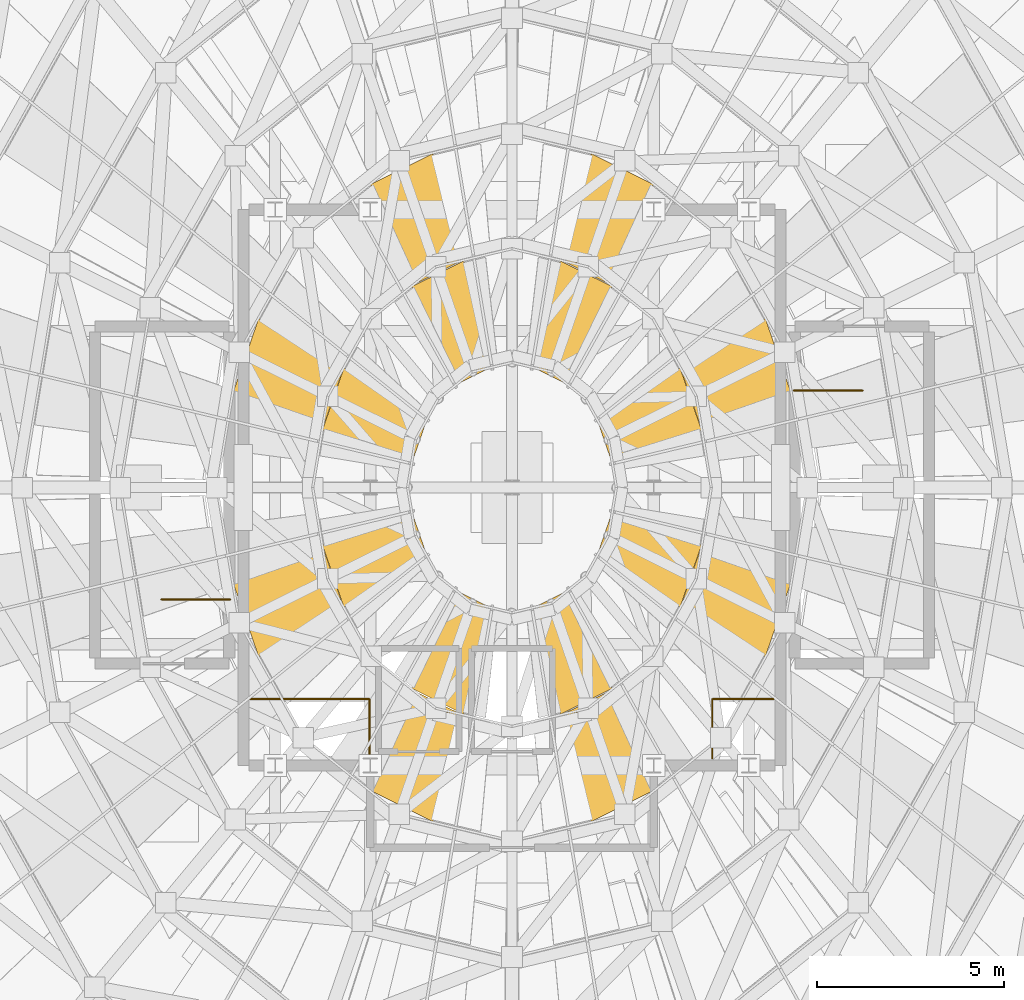
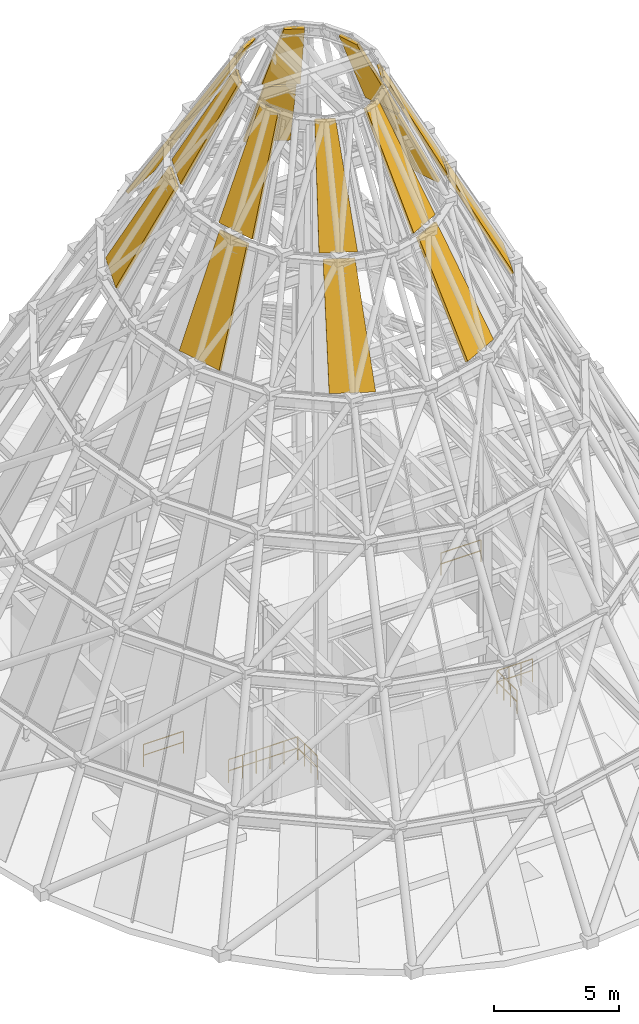
# One storey, part 15 of 16: 16 coverings, 4 railings.
"""IFC4 building model written with IfcOpenShell, lengths in metres."""

from ifc_helpers import new_model, si_unit, direction, frame, origin, origin_2d, place, context, subcontext, project, spatial, polyline, circle, outline, extrude, material, layer, layer_set, type_object, element, save


model = new_model("IFC4")

# Units and contexts
model_context = context("Model", 3, precision=1e-05, world=origin(), true_north=direction((0.0, 1.0)))
body_context = subcontext(model_context, "Body", "Model", "MODEL_VIEW")
ifc_project = project(units=[si_unit("LENGTHUNIT", "METRE"), si_unit("AREAUNIT", "SQUARE_METRE"), si_unit("VOLUMEUNIT", "CUBIC_METRE"), si_unit("PLANEANGLEUNIT", "RADIAN"), si_unit("MASSUNIT", "GRAM", prefix="KILO")], contexts=[model_context])

# Site, building, storey
site_placement = place(None, origin())
site = spatial("IfcSite", under=ifc_project, at=site_placement, CompositionType="ELEMENT")
building_placement = place(site_placement, origin())
building = spatial("IfcBuilding", under=site, at=building_placement, Name="Veldorina Hangang Commons", CompositionType="ELEMENT")
storey_placement = place(building_placement, frame((0.0, 0.0, 308.39990234375)))
storey = spatial("IfcBuildingStorey", under=building, at=storey_placement, Name="Crown", CompositionType="ELEMENT", Elevation=308.39990234375)

# Coverings
ifc_material_1 = material(Name="Bronze Perforated Anodized", Category="metal")
ifc_layer = layer(ifc_material_1, 0.139892578125)
ifc_layer_set = layer_set([ifc_layer], Name="Bronze Perforated Anodized")
covering_type = type_object("IfcCoveringType", Name="RF-CANOPY-BRZ", PredefinedType="USERDEFINED", material=ifc_layer_set)
covering_1_placement = place(storey_placement, frame((39.480712890625, 26.536865234375, 19.319580078125), z_axis=(0.833584199063, 0.288090662029, 0.471318526608), x_axis=(-0.326653086245, 0.945144307027, 1.1886112e-05)))
element("IfcCovering", 1, at=covering_1_placement, inside=storey, type_object=covering_type, Name="Crown tier 5 bronze hip seam cap 01", ObjectType="CANOPY", PredefinedType="USERDEFINED", context=body_context, shape_type="SweptSolid", body=[
    extrude(outline(polyline([(0.0, 0.0), (2.113525390625, 0.0), (1.46533203125, 5.224853515625), (0.014404296875, 5.224853515625), (0.0, 0.0)])), origin(), (0.0, 0.0, -1.0), 0.139892578125),
])
covering_2_placement = place(storey_placement, frame((35.790771484375, 32.12548828125, 19.322021484375), z_axis=(0.380101271505, 0.765721858184, 0.518838182192), x_axis=(-0.895720235024, 0.444618105965, 2.0426337e-05)))
element("IfcCovering", 2, at=covering_2_placement, inside=storey, type_object=covering_type, Name="Crown tier 5 bronze hip seam cap 03", ObjectType="CANOPY", PredefinedType="USERDEFINED", context=body_context, shape_type="SweptSolid", body=[
    extrude(outline(polyline([(0.0, 0.0), (1.861083984375, 0.0), (1.20947265625, 5.39013671875), (-0.068115234375, 5.39013671875), (0.0, 0.0)])), origin(), (0.0, 0.0, -1.0), 0.139892578125),
])
covering_3_placement = place(storey_placement, frame((29.876220703125, 32.952880859375, 19.322021484375), z_axis=(-0.380101271505, 0.765721858184, 0.518838182192), x_axis=(-0.895720235024, -0.444618105965, -2.0426337e-05)))
element("IfcCovering", 3, at=covering_3_placement, inside=storey, type_object=covering_type, Name="Crown tier 5 bronze hip seam cap 05", ObjectType="CANOPY", PredefinedType="USERDEFINED", context=body_context, shape_type="SweptSolid", body=[
    extrude(outline(polyline([(0.0, 0.0), (1.861083984375, 0.0), (1.92919921875, 5.39013671875), (0.651611328125, 5.39013671875), (0.0, 0.0)])), origin(), (0.0, 0.0, -1.0), 0.139892578125),
])
covering_4_placement = place(storey_placement, frame((25.209716796875, 28.534423828125, 19.319580078125), z_axis=(-0.833584199063, 0.288090662029, 0.471318526608), x_axis=(-0.326653086245, -0.945144307027, -1.1886112e-05)))
element("IfcCovering", 4, at=covering_4_placement, inside=storey, type_object=covering_type, Name="Crown tier 5 bronze hip seam cap 07", ObjectType="CANOPY", PredefinedType="USERDEFINED", context=body_context, shape_type="SweptSolid", body=[
    extrude(outline(polyline([(0.0, 0.0), (2.113525390625, 0.0), (2.09912109375, 5.224853515625), (0.648193359375, 5.224853515625), (0.0, 0.0)])), origin(), (0.0, 0.0, -1.0), 0.139892578125),
])
covering_5_placement = place(storey_placement, frame((24.519287109375, 21.463134765625, 19.319580078125), z_axis=(-0.833584199063, -0.288090662029, 0.471318526608), x_axis=(0.326653086245, -0.945144307027, 1.1886112e-05)))
element("IfcCovering", 5, at=covering_5_placement, inside=storey, type_object=covering_type, Name="Crown tier 5 bronze hip seam cap 09", ObjectType="CANOPY", PredefinedType="USERDEFINED", context=body_context, shape_type="SweptSolid", body=[
    extrude(outline(polyline([(0.0, 0.0), (2.113525390625, 0.0), (1.46533203125, 5.224853515625), (0.014404296875, 5.224853515625), (0.0, 0.0)])), origin(), (0.0, 0.0, -1.0), 0.139892578125),
])
covering_6_placement = place(storey_placement, frame((28.209228515625, 15.87451171875, 19.322021484375), z_axis=(-0.380101271505, -0.765721858184, 0.518838182192), x_axis=(0.895720235024, -0.444618105965, 2.0426337e-05)))
element("IfcCovering", 6, at=covering_6_placement, inside=storey, type_object=covering_type, Name="Crown tier 5 bronze hip seam cap 11", ObjectType="CANOPY", PredefinedType="USERDEFINED", context=body_context, shape_type="SweptSolid", body=[
    extrude(outline(polyline([(0.0, 0.0), (1.861083984375, 0.0), (1.20947265625, 5.39013671875), (-0.068115234375, 5.39013671875), (0.0, 0.0)])), origin(), (0.0, 0.0, -1.0), 0.139892578125),
])
covering_7_placement = place(storey_placement, frame((34.123779296875, 15.047119140625, 19.322021484375), z_axis=(0.380101271505, -0.765721858184, 0.518838182192), x_axis=(0.895720235024, 0.444618105965, -2.0426337e-05)))
element("IfcCovering", 7, at=covering_7_placement, inside=storey, type_object=covering_type, Name="Crown tier 5 bronze hip seam cap 13", ObjectType="CANOPY", PredefinedType="USERDEFINED", context=body_context, shape_type="SweptSolid", body=[
    extrude(outline(polyline([(0.0, 0.0), (1.861083984375, 0.0), (1.92919921875, 5.39013671875), (0.651611328125, 5.39013671875), (0.0, 0.0)])), origin(), (0.0, 0.0, -1.0), 0.139892578125),
])
covering_8_placement = place(storey_placement, frame((38.790283203125, 19.465576171875, 19.319580078125), z_axis=(0.833584199063, -0.288090662029, 0.471318526608), x_axis=(0.326653086245, 0.945144307027, -1.1886112e-05)))
element("IfcCovering", 8, at=covering_8_placement, inside=storey, type_object=covering_type, Name="Crown tier 5 bronze hip seam cap 15", ObjectType="CANOPY", PredefinedType="USERDEFINED", context=body_context, shape_type="SweptSolid", body=[
    extrude(outline(polyline([(0.0, 0.0), (2.113525390625, 0.0), (2.09912109375, 5.224853515625), (0.648193359375, 5.224853515625), (0.0, 0.0)])), origin(), (0.0, 0.0, -1.0), 0.139892578125),
])
covering_9_placement = place(storey_placement, frame((37.080078125, 25.54345703125, 24.119384765625), z_axis=(0.836029224433, 0.289019477434, 0.466393479327), x_axis=(-0.326720601267, 0.945120970147, -2.2294525e-05)))
element("IfcCovering", 9, at=covering_9_placement, inside=storey, type_object=covering_type, Name="Crown tier 6 bronze hip seam cap 01", ObjectType="CANOPY", PredefinedType="USERDEFINED", context=body_context, shape_type="SweptSolid", body=[
    extrude(outline(polyline([(0.0, 0.0), (1.755615234375, 0.0), (1.03759765625, 5.209228515625), (0.0927734375, 5.209228515625), (0.0, 0.0)])), origin(), (0.0, 0.0, -1.0), 0.139892578125),
])
covering_10_placement = place(storey_placement, frame((34.679443359375, 29.388916015625, 24.121826171875), z_axis=(0.381461689654, 0.768473514746, 0.513746470995), x_axis=(-0.895717625209, 0.444623364083, 1.3225e-06)))
element("IfcCovering", 10, at=covering_10_placement, inside=storey, type_object=covering_type, Name="Crown tier 6 bronze hip seam cap 03", ObjectType="CANOPY", PredefinedType="USERDEFINED", context=body_context, shape_type="SweptSolid", body=[
    extrude(outline(polyline([(0.0, 0.0), (1.545654296875, 0.0), (0.833740234375, 5.370849609375), (0.001953125, 5.370849609375), (0.0, 0.0)])), origin(), (0.0, 0.0, -1.0), 0.139892578125),
])
covering_11_placement = place(storey_placement, frame((30.705078125, 30.076171875, 24.121826171875), z_axis=(-0.381461689654, 0.768473514746, 0.513746470995), x_axis=(-0.895717625209, -0.444623364083, -1.3225e-06)))
element("IfcCovering", 11, at=covering_11_placement, inside=storey, type_object=covering_type, Name="Crown tier 6 bronze hip seam cap 05", ObjectType="CANOPY", PredefinedType="USERDEFINED", context=body_context, shape_type="SweptSolid", body=[
    extrude(outline(polyline([(0.0, 0.0), (1.545654296875, 0.0), (1.5439453125, 5.370849609375), (0.7119140625, 5.370849609375), (0.0, 0.0)])), origin(), (0.0, 0.0, -1.0), 0.139892578125),
])
covering_12_placement = place(storey_placement, frame((27.493408203125, 27.20263671875, 24.119384765625), z_axis=(-0.836029224433, 0.289019477434, 0.466393479327), x_axis=(-0.326720601267, -0.945120970147, 2.2294525e-05)))
element("IfcCovering", 12, at=covering_12_placement, inside=storey, type_object=covering_type, Name="Crown tier 6 bronze hip seam cap 07", ObjectType="CANOPY", PredefinedType="USERDEFINED", context=body_context, shape_type="SweptSolid", body=[
    extrude(outline(polyline([(0.0, 0.0), (1.755615234375, 0.0), (1.662841796875, 5.209228515625), (0.7177734375, 5.209228515625), (0.0, 0.0)])), origin(), (0.0, 0.0, -1.0), 0.139892578125),
])
covering_13_placement = place(storey_placement, frame((26.919921875, 22.45654296875, 24.119384765625), z_axis=(-0.836029224433, -0.289019477434, 0.466393479327), x_axis=(0.326720601267, -0.945120970147, -2.2294525e-05)))
element("IfcCovering", 13, at=covering_13_placement, inside=storey, type_object=covering_type, Name="Crown tier 6 bronze hip seam cap 09", ObjectType="CANOPY", PredefinedType="USERDEFINED", context=body_context, shape_type="SweptSolid", body=[
    extrude(outline(polyline([(0.0, 0.0), (1.755615234375, 0.0), (1.03759765625, 5.209228515625), (0.0927734375, 5.209228515625), (0.0, 0.0)])), origin(), (0.0, 0.0, -1.0), 0.139892578125),
])
covering_14_placement = place(storey_placement, frame((29.320556640625, 18.611083984375, 24.121826171875), z_axis=(-0.381461689654, -0.768473514746, 0.513746470995), x_axis=(0.895717625209, -0.444623364083, 1.3225e-06)))
element("IfcCovering", 14, at=covering_14_placement, inside=storey, type_object=covering_type, Name="Crown tier 6 bronze hip seam cap 11", ObjectType="CANOPY", PredefinedType="USERDEFINED", context=body_context, shape_type="SweptSolid", body=[
    extrude(outline(polyline([(0.0, 0.0), (1.545654296875, 0.0), (0.833740234375, 5.370849609375), (0.001953125, 5.370849609375), (0.0, 0.0)])), origin(), (0.0, 0.0, -1.0), 0.139892578125),
])
covering_15_placement = place(storey_placement, frame((33.294921875, 17.923828125, 24.121826171875), z_axis=(0.381461689654, -0.768473514746, 0.513746470995), x_axis=(0.895717625209, 0.444623364083, -1.3225e-06)))
element("IfcCovering", 15, at=covering_15_placement, inside=storey, type_object=covering_type, Name="Crown tier 6 bronze hip seam cap 13", ObjectType="CANOPY", PredefinedType="USERDEFINED", context=body_context, shape_type="SweptSolid", body=[
    extrude(outline(polyline([(0.0, 0.0), (1.545654296875, 0.0), (1.5439453125, 5.370849609375), (0.7119140625, 5.370849609375), (0.0, 0.0)])), origin(), (0.0, 0.0, -1.0), 0.139892578125),
])
covering_16_placement = place(storey_placement, frame((36.506591796875, 20.79736328125, 24.119384765625), z_axis=(0.836029224433, -0.289019477434, 0.466393479327), x_axis=(0.326720601267, 0.945120970147, 2.2294525e-05)))
element("IfcCovering", 16, at=covering_16_placement, inside=storey, type_object=covering_type, Name="Crown tier 6 bronze hip seam cap 15", ObjectType="CANOPY", PredefinedType="USERDEFINED", context=body_context, shape_type="SweptSolid", body=[
    extrude(outline(polyline([(0.0, 0.0), (1.755615234375, 0.0), (1.662841796875, 5.209228515625), (0.7177734375, 5.209228515625), (0.0, 0.0)])), origin(), (0.0, 0.0, -1.0), 0.139892578125),
])

# Railings
ifc_material_2 = material(Name="Steel Painted Balustrade", Category="steel")
railing_type = type_object("IfcRailingType", Name="RL-GRD-STAIR", PredefinedType="GUARDRAIL", material=ifc_material_2)
railing_1_placement = place(storey_placement, frame((24.449951171875, 21.0, 0.0)))
element("IfcRailing", 17, at=railing_1_placement, inside=storey, type_object=railing_type, Name="Crown ST-1 top well guard 1", PredefinedType="GUARDRAIL", context=body_context, shape_type="SweptSolid", body=[
    extrude(circle(Radius=0.02392578125, at=origin_2d()), frame((0.0, 0.0, 1.076171875), z_axis=(-1.0, 0.0, 0.0), x_axis=(0.0, -1.0, 0.0)), (0.0, 0.0, 1.0), 1.849853515625),
    extrude(circle(Radius=0.02392578125, at=origin_2d()), frame((0.0, 0.0, 0.550048828125), z_axis=(-1.0, 0.0, 0.0), x_axis=(0.0, -1.0, 0.0)), (0.0, 0.0, 1.0), 1.849853515625),
    extrude(circle(Radius=0.02099609375, at=origin_2d()), origin(), (0.0, 0.0, 1.0), 1.052001953125),
    extrude(circle(Radius=0.02099609375, at=origin_2d()), frame((-1.849853515625, 0.0, 0.0)), (0.0, 0.0, 1.0), 1.052001953125),
])
railing_2_placement = place(storey_placement, frame((39.550048828125, 26.60009765625, 0.0)))
element("IfcRailing", 18, at=railing_2_placement, inside=storey, type_object=railing_type, Name="Crown ST-2 top well guard 1", PredefinedType="GUARDRAIL", context=body_context, shape_type="SweptSolid", body=[
    extrude(circle(Radius=0.02392578125, at=origin_2d()), frame((0.0, 0.0, 1.076171875), z_axis=(1.0, 0.0, 0.0), x_axis=(0.0, 1.0, 0.0)), (0.0, 0.0, 1.0), 1.849853515625),
    extrude(circle(Radius=0.02392578125, at=origin_2d()), frame((0.0, 0.0, 0.550048828125), z_axis=(1.0, 0.0, 0.0), x_axis=(0.0, 1.0, 0.0)), (0.0, 0.0, 1.0), 1.849853515625),
    extrude(circle(Radius=0.02099609375, at=origin_2d()), origin(), (0.0, 0.0, 1.0), 1.052001953125),
    extrude(circle(Radius=0.02099609375, at=origin_2d()), frame((1.849853515625, 0.0, 0.0)), (0.0, 0.0, 1.0), 1.052001953125),
])
railing_3_placement = place(storey_placement, frame((24.989990234375, 18.330078125, 0.0)))
element("IfcRailing", 19, at=railing_3_placement, inside=storey, type_object=railing_type, Name="Crown electrical riser shaft safety guard", PredefinedType="GUARDRAIL", context=body_context, shape_type="SweptSolid", body=[
    extrude(circle(Radius=0.02392578125, at=origin_2d()), frame((0.0, 0.0, 1.1259765625), z_axis=(1.0, 0.0, 0.0), x_axis=(0.0, 1.0, 0.0)), (0.0, 0.0, 1.0), 3.18994140625),
    extrude(circle(Radius=0.02392578125, at=origin_2d()), frame((0.0, 0.0, 0.574951171875), z_axis=(1.0, 0.0, 0.0), x_axis=(0.0, 1.0, 0.0)), (0.0, 0.0, 1.0), 3.18994140625),
    extrude(circle(Radius=0.02392578125, at=origin_2d()), frame((3.18994140625, 0.0, 1.1259765625), z_axis=(0.0, -1.0, 0.0), x_axis=(1.0, 0.0, 0.0)), (0.0, 0.0, 1.0), 1.590087890625),
    extrude(circle(Radius=0.02392578125, at=origin_2d()), frame((3.18994140625, 0.0, 0.574951171875), z_axis=(0.0, -1.0, 0.0), x_axis=(1.0, 0.0, 0.0)), (0.0, 0.0, 1.0), 1.590087890625),
    extrude(circle(Radius=0.02099609375, at=origin_2d()), origin(), (0.0, 0.0, 1.0), 1.101806640625),
    extrude(circle(Radius=0.02099609375, at=origin_2d()), frame((0.637939453125, 0.0, 0.0)), (0.0, 0.0, 1.0), 1.101806640625),
    extrude(circle(Radius=0.02099609375, at=origin_2d()), frame((1.27587890625, 0.0, 0.0)), (0.0, 0.0, 1.0), 1.101806640625),
    extrude(circle(Radius=0.02099609375, at=origin_2d()), frame((1.9140625, 0.0, 0.0)), (0.0, 0.0, 1.0), 1.101806640625),
    extrude(circle(Radius=0.02099609375, at=origin_2d()), frame((2.552001953125, 0.0, 0.0)), (0.0, 0.0, 1.0), 1.101806640625),
    extrude(circle(Radius=0.02099609375, at=origin_2d()), frame((3.18994140625, 0.0, 0.0)), (0.0, 0.0, 1.0), 1.101806640625),
    extrude(circle(Radius=0.02099609375, at=origin_2d()), frame((3.18994140625, -0.530029296875, 0.0)), (0.0, 0.0, 1.0), 1.101806640625),
    extrude(circle(Radius=0.02099609375, at=origin_2d()), frame((3.18994140625, -1.06005859375, 0.0)), (0.0, 0.0, 1.0), 1.101806640625),
    extrude(circle(Radius=0.02099609375, at=origin_2d()), frame((3.18994140625, -1.590087890625, 0.0)), (0.0, 0.0, 1.0), 1.101806640625),
])
railing_4_placement = place(storey_placement, frame((37.3701171875, 16.739990234375, 0.0)))
element("IfcRailing", 20, at=railing_4_placement, inside=storey, type_object=railing_type, Name="Crown plumbing riser shaft safety guard", PredefinedType="GUARDRAIL", context=body_context, shape_type="SweptSolid", body=[
    extrude(circle(Radius=0.02392578125, at=origin_2d()), frame((0.0, 0.0, 1.1259765625), z_axis=(0.0, 1.0, 0.0), x_axis=(-1.0, 0.0, 0.0)), (0.0, 0.0, 1.0), 1.590087890625),
    extrude(circle(Radius=0.02392578125, at=origin_2d()), frame((0.0, 0.0, 0.574951171875), z_axis=(0.0, 1.0, 0.0), x_axis=(-1.0, 0.0, 0.0)), (0.0, 0.0, 1.0), 1.590087890625),
    extrude(circle(Radius=0.02392578125, at=origin_2d()), frame((0.0, 1.590087890625, 1.1259765625), z_axis=(1.0, 0.0, 0.0), x_axis=(0.0, 1.0, 0.0)), (0.0, 0.0, 1.0), 1.639892578125),
    extrude(circle(Radius=0.02392578125, at=origin_2d()), frame((0.0, 1.590087890625, 0.574951171875), z_axis=(1.0, 0.0, 0.0), x_axis=(0.0, 1.0, 0.0)), (0.0, 0.0, 1.0), 1.639892578125),
    extrude(circle(Radius=0.02099609375, at=origin_2d()), origin(), (0.0, 0.0, 1.0), 1.101806640625),
    extrude(circle(Radius=0.02099609375, at=origin_2d()), frame((0.0, 0.530029296875, 0.0)), (0.0, 0.0, 1.0), 1.101806640625),
    extrude(circle(Radius=0.02099609375, at=origin_2d()), frame((0.0, 1.06005859375, 0.0)), (0.0, 0.0, 1.0), 1.101806640625),
    extrude(circle(Radius=0.02099609375, at=origin_2d()), frame((0.0, 1.590087890625, 0.0)), (0.0, 0.0, 1.0), 1.101806640625),
    extrude(circle(Radius=0.02099609375, at=origin_2d()), frame((0.546630859375, 1.590087890625, 0.0)), (0.0, 0.0, 1.0), 1.101806640625),
    extrude(circle(Radius=0.02099609375, at=origin_2d()), frame((1.09326171875, 1.590087890625, 0.0)), (0.0, 0.0, 1.0), 1.101806640625),
    extrude(circle(Radius=0.02099609375, at=origin_2d()), frame((1.639892578125, 1.590087890625, 0.0)), (0.0, 0.0, 1.0), 1.101806640625),
])

save(model, "model.ifc")
